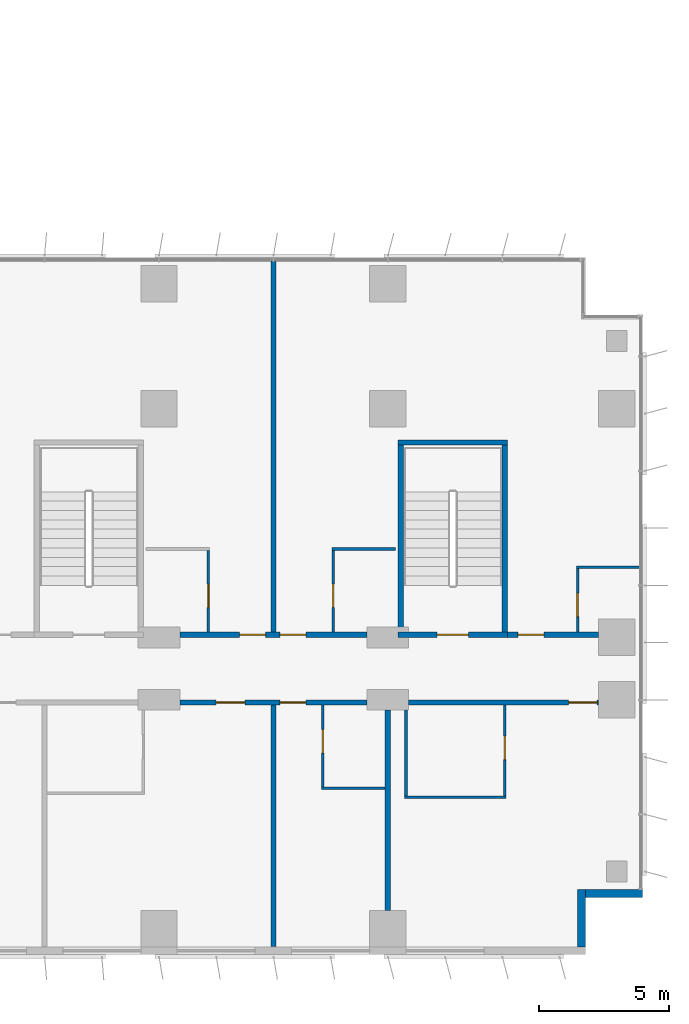
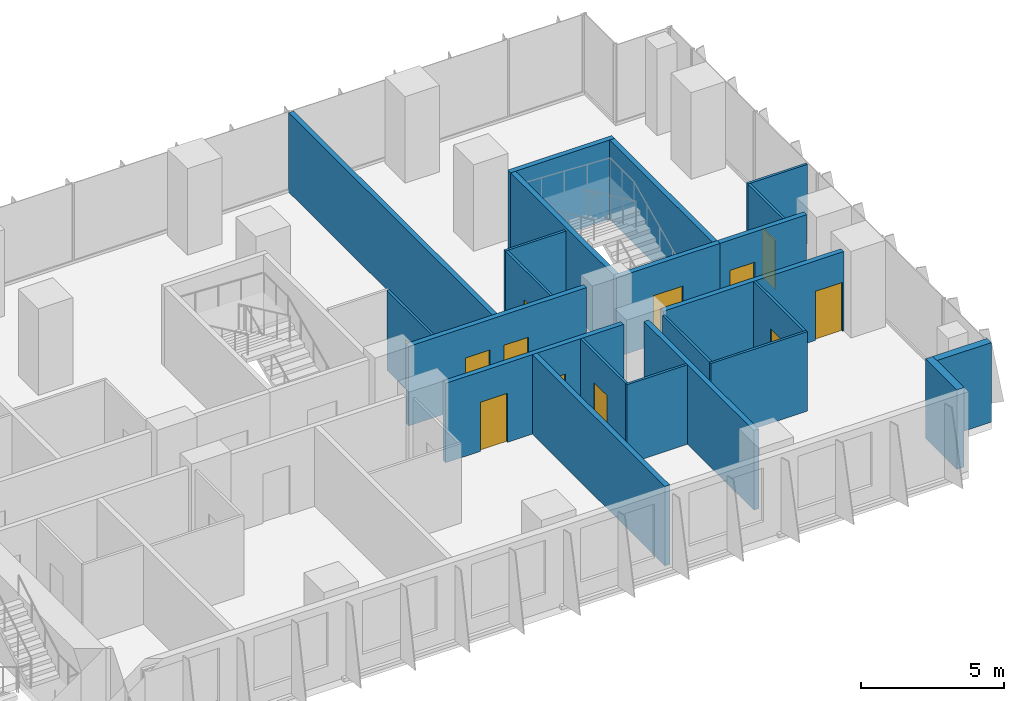
# One storey, part 18 of 24: 23 walls, 12 doors, 12 openings.
"""IFC4 building model written with IfcOpenShell, lengths in metres."""

from ifc_helpers import new_model, si_unit, direction, frame, frame_2d, origin, place, context, subcontext, project, spatial, rectangle, extrude, material, layer, layer_set, type_object, element, fill, save


model = new_model("IFC4")

# Units and contexts
model_context = context("Model", 3, precision=1e-05, world=origin(), true_north=direction((0.0, 1.0)))
body_context = subcontext(model_context, "Body", "Model", "MODEL_VIEW")
ifc_project = project(units=[si_unit("LENGTHUNIT", "METRE"), si_unit("AREAUNIT", "SQUARE_METRE"), si_unit("VOLUMEUNIT", "CUBIC_METRE"), si_unit("PLANEANGLEUNIT", "RADIAN"), si_unit("MASSUNIT", "GRAM", prefix="KILO")], contexts=[model_context])

# Site, building, storey
site_placement = place(None, origin())
site = spatial("IfcSite", under=ifc_project, at=site_placement, CompositionType="ELEMENT")
building_placement = place(site_placement, origin())
building = spatial("IfcBuilding", under=site, at=building_placement, Name="Kemantara Hotel Tower", CompositionType="ELEMENT")
storey_placement = place(building_placement, frame((0.0, 0.0, 56.199951171875)))
storey = spatial("IfcBuildingStorey", under=building, at=storey_placement, Name="L12", CompositionType="ELEMENT", Elevation=56.199951171875)

# Walls
ifc_material_1 = material(Name="Bronze anodised aluminium cladding on insulated steel stud wall", Category="steel")
ifc_layer_1 = layer(ifc_material_1, 0.300048828125)
ifc_layer_set_1 = layer_set([ifc_layer_1], Name="Bronze anodised aluminium cladding on insulated steel stud wall")
wall_type_1 = type_object("IfcWallType", Name="BRONZE METAL-CLAD EXTERNAL WALL 300", PredefinedType="STANDARD", material=ifc_layer_set_1)
for number, where, z_axis, x_axis, name in (
    (1, (78.85009765625, 0.300048828125, 0.0), (0.0, 0.0, 1.0), (0.0, 1.0, 0.0), "EXTERNAL WALL L12 T1-R02"),
    (2, (79.0, 2.35009765625, 0.0), (0.0, 0.0, 1.0), (1.0, 0.0, 0.0), "EXTERNAL WALL L12 T1-R03"),
):
    element("IfcWall", number, at=place(storey_placement, frame(where, z_axis=z_axis, x_axis=x_axis)), inside=storey, type_object=wall_type_1, Name=name, PredefinedType="STANDARD", context=body_context, shape_type="SweptSolid", body=[
        extrude(rectangle(XDim=2.199951171875, YDim=0.300048828125, at=frame_2d((1.10009765625, 0.0))), origin(), (0.0, 0.0, 1.0), 3.400146484375),
    ])

# Wall, openings, doors
ifc_material_2 = material(Name="Gypsum board partition, steel studs and mineral wool, 200 mm", Category="steel")
ifc_layer_2 = layer(ifc_material_2, 0.199951171875)
ifc_layer_set_2 = layer_set([ifc_layer_2], Name="Gypsum board partition, steel studs and mineral wool, 200 mm")
wall_type_2 = type_object("IfcWallType", Name="CORRIDOR WALL 200", PredefinedType="PARTITIONING", material=ifc_layer_set_2)
wall_1_placement = place(storey_placement, frame((70.599853515625, 9.699951171875, 0.0), z_axis=(0.0, 0.0, 1.0), x_axis=(-1.0, 0.0, 0.0)))
wall_1 = element("IfcWall", 3, at=wall_1_placement, inside=storey, type_object=wall_type_2, Name="CORRIDOR WALL 200 003", PredefinedType="PARTITIONING", context=body_context, shape_type="SweptSolid", body=[
    extrude(rectangle(XDim=7.19970703125, YDim=0.199951171875, at=frame_2d((3.599853515625, 0.0))), origin(), (0.0, 0.0, 1.0), 3.400146484375),
])
opening_1_placement = place(wall_1_placement, frame((4.699951171875, 0.0, 0.0)))
opening_1 = element("IfcOpeningElement", 4, at=opening_1_placement, cuts=wall_1, Name="Opening F04-005", PredefinedType="OPENING", context=body_context, shape_type="SweptSolid", body=[
    extrude(rectangle(XDim=1.10009765625, YDim=2.10009765625, at=frame_2d((0.550048828125, 1.050048828125))), frame((0.0, 0.10986328125, 0.0), z_axis=(0.0, -1.0, 0.0), x_axis=(1.0, 0.0, 0.0)), (0.0, 0.0, 1.0), 0.219970703125),
])
opening_2_placement = place(wall_1_placement, frame((2.349853515625, 0.0, 0.0)))
opening_2 = element("IfcOpeningElement", 5, at=opening_2_placement, cuts=wall_1, Name="Opening F04-007", PredefinedType="OPENING", context=body_context, shape_type="SweptSolid", body=[
    extrude(rectangle(XDim=1.0, YDim=2.10009765625, at=frame_2d((0.5, 1.050048828125))), frame((0.0, 0.10986328125, 0.0), z_axis=(0.0, -1.0, 0.0), x_axis=(1.0, 0.0, 0.0)), (0.0, 0.0, 1.0), 0.219970703125),
])
ifc_material_3 = material(Name="Hardwood veneer door leaf with steel frame", Category="steel")
door_type_1 = type_object("IfcDoorType", Name="GUEST ROOM DOOR 1000 X 2100 FD30S", OperationType="NOTDEFINED", PredefinedType="DOOR", material=ifc_material_3)
door_1_placement = place(opening_2_placement, origin())
door_1 = element("IfcDoor", 6, at=door_1_placement, inside=storey, type_object=door_type_1, Name="GUEST ROOM DOOR F04-007", OperationType="SINGLE_SWING_RIGHT", OverallHeight=2.10009765625, OverallWidth=1.0, PredefinedType="DOOR", context=body_context, shape_type="SweptSolid", body=[
    extrude(rectangle(XDim=1.0, YDim=2.10009765625, at=frame_2d((0.5, 1.050048828125))), frame((0.0, 0.02490234375, 0.0), z_axis=(0.0, -1.0, 0.0), x_axis=(1.0, 0.0, 0.0)), (0.0, 0.0, 1.0), 0.050048828125),
])
fill(opening_2, door_1)
door_type_2 = type_object("IfcDoorType", Name="SUITE ENTRANCE DOOR 1100 X 2100 FD30S", OperationType="NOTDEFINED", PredefinedType="DOOR", material=ifc_material_3)
door_2_placement = place(opening_1_placement, origin())
door_2 = element("IfcDoor", 7, at=door_2_placement, inside=storey, type_object=door_type_2, Name="SUITE ENTRANCE DOOR F04-005", OperationType="SINGLE_SWING_LEFT", OverallHeight=2.10009765625, OverallWidth=1.10009765625, PredefinedType="DOOR", context=body_context, shape_type="SweptSolid", body=[
    extrude(rectangle(XDim=1.10009765625, YDim=2.10009765625, at=frame_2d((0.550048828125, 1.050048828125))), frame((0.0, 0.02490234375, 0.0), z_axis=(0.0, -1.0, 0.0), x_axis=(1.0, 0.0, 0.0)), (0.0, 0.0, 1.0), 0.050048828125),
])
fill(opening_1, door_2)

# Wall, opening, door
wall_2_placement = place(storey_placement, frame((79.5, 9.699951171875, 0.0), z_axis=(0.0, 0.0, 1.0), x_axis=(-1.0, 0.0, 0.0)))
wall_2 = element("IfcWall", 8, at=wall_2_placement, inside=storey, type_object=wall_type_2, Name="CORRIDOR WALL 200 004", PredefinedType="PARTITIONING", context=body_context, shape_type="SweptSolid", body=[
    extrude(rectangle(XDim=7.2998046875, YDim=0.199951171875, at=frame_2d((3.64990234375, 0.0))), origin(), (0.0, 0.0, 1.0), 3.400146484375),
])
opening_3_placement = place(wall_2_placement, frame((0.0498046875, 0.0, 0.0)))
opening_3 = element("IfcOpeningElement", 9, at=opening_3_placement, cuts=wall_2, Name="Opening F04-009", PredefinedType="OPENING", context=body_context, shape_type="SweptSolid", body=[
    extrude(rectangle(XDim=1.10009765625, YDim=2.10009765625, at=frame_2d((0.550048828125, 1.050048828125))), frame((0.0, 0.10986328125, 0.0), z_axis=(0.0, -1.0, 0.0), x_axis=(1.0, 0.0, 0.0)), (0.0, 0.0, 1.0), 0.219970703125),
])
door_3_placement = place(opening_3_placement, origin())
door_3 = element("IfcDoor", 10, at=door_3_placement, inside=storey, type_object=door_type_2, Name="SUITE ENTRANCE DOOR F04-009", OperationType="SINGLE_SWING_LEFT", OverallHeight=2.10009765625, OverallWidth=1.10009765625, PredefinedType="DOOR", context=body_context, shape_type="SweptSolid", body=[
    extrude(rectangle(XDim=1.10009765625, YDim=2.10009765625, at=frame_2d((0.550048828125, 1.050048828125))), frame((0.0, 0.02490234375, 0.0), z_axis=(0.0, -1.0, 0.0), x_axis=(1.0, 0.0, 0.0)), (0.0, 0.0, 1.0), 0.050048828125),
])
fill(opening_3, door_3)

# Wall, openings, doors
wall_3_placement = place(storey_placement, frame((63.400146484375, 12.300048828125, 0.0), z_axis=(0.0, 0.0, 1.0), x_axis=(1.0, 0.0, 0.0)))
wall_3 = element("IfcWall", 11, at=wall_3_placement, inside=storey, type_object=wall_type_2, Name="CORRIDOR WALL 200 016", PredefinedType="PARTITIONING", context=body_context, shape_type="SweptSolid", body=[
    extrude(rectangle(XDim=7.19970703125, YDim=0.199951171875, at=frame_2d((3.599853515625, 0.0))), origin(), (0.0, 0.0, 1.0), 3.400146484375),
])
opening_4_placement = place(wall_3_placement, frame((2.2998046875, 0.0, 0.0)))
opening_4 = element("IfcOpeningElement", 12, at=opening_4_placement, cuts=wall_3, Name="Opening F04-023", PredefinedType="OPENING", context=body_context, shape_type="SweptSolid", body=[
    extrude(rectangle(XDim=1.0, YDim=2.10009765625, at=frame_2d((0.5, 1.050048828125))), frame((0.0, 0.10986328125, 0.0), z_axis=(0.0, -1.0, 0.0), x_axis=(1.0, 0.0, 0.0)), (0.0, 0.0, 1.0), 0.219970703125),
])
opening_5_placement = place(wall_3_placement, frame((3.849853515625, 0.0, 0.0)))
opening_5 = element("IfcOpeningElement", 13, at=opening_5_placement, cuts=wall_3, Name="Opening F04-025", PredefinedType="OPENING", context=body_context, shape_type="SweptSolid", body=[
    extrude(rectangle(XDim=1.0, YDim=2.10009765625, at=frame_2d((0.5, 1.050048828125))), frame((0.0, 0.10986328125, 0.0), z_axis=(0.0, -1.0, 0.0), x_axis=(1.0, 0.0, 0.0)), (0.0, 0.0, 1.0), 0.219970703125),
])
door_4_placement = place(opening_4_placement, origin())
door_4 = element("IfcDoor", 14, at=door_4_placement, inside=storey, type_object=door_type_1, Name="GUEST ROOM DOOR F04-023", OperationType="SINGLE_SWING_RIGHT", OverallHeight=2.10009765625, OverallWidth=1.0, PredefinedType="DOOR", context=body_context, shape_type="SweptSolid", body=[
    extrude(rectangle(XDim=1.0, YDim=2.10009765625, at=frame_2d((0.5, 1.050048828125))), frame((0.0, 0.02490234375, 0.0), z_axis=(0.0, -1.0, 0.0), x_axis=(1.0, 0.0, 0.0)), (0.0, 0.0, 1.0), 0.050048828125),
])
fill(opening_4, door_4)
door_5_placement = place(opening_5_placement, origin())
door_5 = element("IfcDoor", 15, at=door_5_placement, inside=storey, type_object=door_type_1, Name="GUEST ROOM DOOR F04-025", OperationType="SINGLE_SWING_LEFT", OverallHeight=2.10009765625, OverallWidth=1.0, PredefinedType="DOOR", context=body_context, shape_type="SweptSolid", body=[
    extrude(rectangle(XDim=1.0, YDim=2.10009765625, at=frame_2d((0.5, 1.050048828125))), frame((0.0, 0.02490234375, 0.0), z_axis=(0.0, -1.0, 0.0), x_axis=(1.0, 0.0, 0.0)), (0.0, 0.0, 1.0), 0.050048828125),
])
fill(opening_5, door_5)

# Wall, opening, door
wall_4_placement = place(storey_placement, frame((76.0, 12.300048828125, 0.0), z_axis=(0.0, 0.0, 1.0), x_axis=(1.0, 0.0, 0.0)))
wall_4 = element("IfcWall", 16, at=wall_4_placement, inside=storey, type_object=wall_type_2, Name="CORRIDOR WALL 200 017", PredefinedType="PARTITIONING", context=body_context, shape_type="SweptSolid", body=[
    extrude(rectangle(XDim=3.5, YDim=0.199951171875, at=frame_2d((1.75, 0.0))), origin(), (0.0, 0.0, 1.0), 3.400146484375),
])
opening_6_placement = place(wall_4_placement, frame((0.39990234375, 0.0, 0.0)))
opening_6 = element("IfcOpeningElement", 17, at=opening_6_placement, cuts=wall_4, Name="Opening F04-027", PredefinedType="OPENING", context=body_context, shape_type="SweptSolid", body=[
    extrude(rectangle(XDim=1.0, YDim=2.10009765625, at=frame_2d((0.5, 1.050048828125))), frame((0.0, 0.10986328125, 0.0), z_axis=(0.0, -1.0, 0.0), x_axis=(1.0, 0.0, 0.0)), (0.0, 0.0, 1.0), 0.219970703125),
])
door_6_placement = place(opening_6_placement, origin())
door_6 = element("IfcDoor", 18, at=door_6_placement, inside=storey, type_object=door_type_1, Name="GUEST ROOM DOOR F04-027", OperationType="SINGLE_SWING_LEFT", OverallHeight=2.10009765625, OverallWidth=1.0, PredefinedType="DOOR", context=body_context, shape_type="SweptSolid", body=[
    extrude(rectangle(XDim=1.0, YDim=2.10009765625, at=frame_2d((0.5, 1.050048828125))), frame((0.0, 0.02490234375, 0.0), z_axis=(0.0, -1.0, 0.0), x_axis=(1.0, 0.0, 0.0)), (0.0, 0.0, 1.0), 0.050048828125),
])
fill(opening_6, door_6)

ifc_material_4 = material(Name="Concrete fc 40 MPa", Category="concrete")
ifc_layer_3 = layer(ifc_material_4, 0.199951171875)
ifc_layer_set_3 = layer_set([ifc_layer_3], Name="Concrete fc 40 MPa")
wall_type_3 = type_object("IfcWallType", Name="Concrete stair wall 200 mm", PredefinedType="SHEAR", material=ifc_layer_set_3)
wall_5_placement = place(storey_placement, frame((71.800048828125, 12.300048828125, 0.0), z_axis=(0.0, 0.0, 1.0), x_axis=(1.0, 0.0, 0.0)))
wall_5 = element("IfcWall", 19, at=wall_5_placement, inside=storey, type_object=wall_type_3, Name="Stair ST5 enclosure wall with door", PredefinedType="SHEAR", context=body_context, shape_type="SweptSolid", body=[
    extrude(rectangle(XDim=4.199951171875, YDim=0.199951171875, at=frame_2d((2.10009765625, 0.0))), origin(), (0.0, 0.0, 1.0), 3.400146484375),
])
opening_7_placement = place(wall_5_placement, frame((1.5, 0.0, 0.0)))
opening_7 = element("IfcOpeningElement", 20, at=opening_7_placement, cuts=wall_5, Name="Opening ST5-C", PredefinedType="OPENING", context=body_context, shape_type="SweptSolid", body=[
    extrude(rectangle(XDim=1.199951171875, YDim=2.10009765625, at=frame_2d((0.60009765625, 1.050048828125))), frame((0.0, 0.10986328125, 0.0), z_axis=(0.0, -1.0, 0.0), x_axis=(1.0, 0.0, 0.0)), (0.0, 0.0, 1.0), 0.219970703125),
])
ifc_material_5 = material(Name="Steel fire door", Category="steel")
door_type_3 = type_object("IfcDoorType", Name="Fire door FD90 1200 x 2100", OperationType="NOTDEFINED", PredefinedType="DOOR", material=ifc_material_5)
door_7_placement = place(opening_7_placement, origin())
door_7 = element("IfcDoor", 21, at=door_7_placement, inside=storey, type_object=door_type_3, Name="Stair ST5 door", OperationType="SINGLE_SWING_RIGHT", OverallHeight=2.10009765625, OverallWidth=1.199951171875, PredefinedType="DOOR", context=body_context, shape_type="SweptSolid", body=[
    extrude(rectangle(XDim=1.199951171875, YDim=2.10009765625, at=frame_2d((0.60009765625, 1.050048828125))), frame((0.0, 0.02490234375, 0.0), z_axis=(0.0, -1.0, 0.0), x_axis=(1.0, 0.0, 0.0)), (0.0, 0.0, 1.0), 0.050048828125),
])
fill(opening_7, door_7)

# Walls
wall_6_placement = place(storey_placement, frame((71.800048828125, 19.699951171875, 0.0), z_axis=(0.0, 0.0, 1.0), x_axis=(1.0, 0.0, 0.0)))
element("IfcWall", 22, at=wall_6_placement, inside=storey, type_object=wall_type_3, Name="Stair ST5 enclosure wall N", PredefinedType="SHEAR", context=body_context, shape_type="SweptSolid", body=[
    extrude(rectangle(XDim=4.199951171875, YDim=0.199951171875, at=frame_2d((2.10009765625, 0.0))), origin(), (0.0, 0.0, 1.0), 3.400146484375),
])
for number, where, z_axis, x_axis, name in (
    (23, (71.89990234375, 12.39990234375, 0.0), (0.0, 0.0, 1.0), (0.0, 1.0, 0.0), "Stair ST5 enclosure wall W"),
    (24, (75.89990234375, 12.39990234375, 0.0), (0.0, 0.0, 1.0), (0.0, 1.0, 0.0), "Stair ST5 enclosure wall E"),
):
    element("IfcWall", number, at=place(storey_placement, frame(where, z_axis=z_axis, x_axis=x_axis)), inside=storey, type_object=wall_type_3, Name=name, PredefinedType="SHEAR", context=body_context, shape_type="SweptSolid", body=[
        extrude(rectangle(XDim=7.2001953125, YDim=0.199951171875, at=frame_2d((3.60009765625, 0.0))), origin(), (0.0, 0.0, 1.0), 3.400146484375),
    ])
ifc_layer_4 = layer(ifc_material_2, 0.199951171875)
ifc_layer_set_4 = layer_set([ifc_layer_4], Name="Gypsum board partition, steel studs and mineral wool, 200 mm")
wall_type_4 = type_object("IfcWallType", Name="GUEST ROOM PARTY WALL 200", PredefinedType="PARTITIONING", material=ifc_layer_set_4)
wall_7_placement = place(storey_placement, frame((67.0, 0.31005859375, 0.0), z_axis=(0.0, 0.0, 1.0), x_axis=(0.0, 1.0, 0.0)))
element("IfcWall", 25, at=wall_7_placement, inside=storey, type_object=wall_type_4, Name="GUEST ROOM PARTY WALL 200 008", PredefinedType="PARTITIONING", context=body_context, shape_type="SweptSolid", body=[
    extrude(rectangle(XDim=9.2900390625, YDim=0.199951171875, at=frame_2d((4.64501953125, 0.0))), origin(), (0.0, 0.0, 1.0), 3.400146484375),
])
wall_8_placement = place(storey_placement, frame((67.0, 12.39990234375, 0.0), z_axis=(0.0, 0.0, 1.0), x_axis=(0.0, 1.0, 0.0)))
element("IfcWall", 26, at=wall_8_placement, inside=storey, type_object=wall_type_4, Name="GUEST ROOM PARTY WALL 200 009", PredefinedType="PARTITIONING", context=body_context, shape_type="SweptSolid", body=[
    extrude(rectangle(XDim=14.27001953125, YDim=0.199951171875, at=frame_2d((7.135009765625, 0.0))), origin(), (0.0, 0.0, 1.0), 3.400146484375),
])
wall_9_placement = place(storey_placement, frame((71.39990234375, 1.7001953125, 0.0), z_axis=(0.0, 0.0, 1.0), x_axis=(0.0, 1.0, 0.0)))
element("IfcWall", 27, at=wall_9_placement, inside=storey, type_object=wall_type_4, Name="GUEST ROOM PARTY WALL 200 010", PredefinedType="PARTITIONING", context=body_context, shape_type="SweptSolid", body=[
    extrude(rectangle(XDim=7.69970703125, YDim=0.199951171875, at=frame_2d((3.849853515625, 0.0))), origin(), (0.0, 0.0, 1.0), 3.400146484375),
])
ifc_material_6 = material(Name="Gypsum board partition on steel studs, 100 mm", Category="steel")
ifc_layer_5 = layer(ifc_material_6, 0.10009765625)
ifc_layer_set_5 = layer_set([ifc_layer_5], Name="Gypsum board partition on steel studs, 100 mm")
wall_type_5 = type_object("IfcWallType", Name="ROOM PARTITION 100", PredefinedType="PARTITIONING", material=ifc_layer_set_5)
wall_10_placement = place(storey_placement, frame((68.85009765625, 6.39990234375, 0.0), z_axis=(0.0, 0.0, 1.0), x_axis=(1.0, 0.0, 0.0)))
element("IfcWall", 28, at=wall_10_placement, inside=storey, type_object=wall_type_5, Name="ROOM PARTITION 100 066", PredefinedType="PARTITIONING", context=body_context, shape_type="SweptSolid", body=[
    extrude(rectangle(XDim=2.449951171875, YDim=0.10009765625, at=frame_2d((1.22509765625, 0.0))), origin(), (0.0, 0.0, 1.0), 3.400146484375),
])

# Wall, opening, door
wall_11_placement = place(storey_placement, frame((68.89990234375, 9.60009765625, 0.0), z_axis=(0.0, 0.0, 1.0), x_axis=(0.0, -1.0, 0.0)))
wall_11 = element("IfcWall", 29, at=wall_11_placement, inside=storey, type_object=wall_type_5, Name="ROOM PARTITION 100 073", PredefinedType="PARTITIONING", context=body_context, shape_type="SweptSolid", body=[
    extrude(rectangle(XDim=3.150146484375, YDim=0.10009765625, at=frame_2d((1.5751953125, 0.0))), origin(), (0.0, 0.0, 1.0), 3.400146484375),
])
opening_8_placement = place(wall_11_placement, frame((0.949951171875, 0.0, 0.0)))
opening_8 = element("IfcOpeningElement", 30, at=opening_8_placement, cuts=wall_11, Name="Opening F04-008", PredefinedType="OPENING", context=body_context, shape_type="SweptSolid", body=[
    extrude(rectangle(XDim=0.89990234375, YDim=2.10009765625, at=frame_2d((0.449951171875, 1.050048828125))), frame((0.0, 0.06005859375, 0.0), z_axis=(0.0, -1.0, 0.0), x_axis=(1.0, 0.0, 0.0)), (0.0, 0.0, 1.0), 0.1201171875),
])
door_type_4 = type_object("IfcDoorType", Name="BATHROOM DOOR 900 X 2100", OperationType="NOTDEFINED", PredefinedType="DOOR", material=ifc_material_3)
door_8_placement = place(opening_8_placement, origin())
door_8 = element("IfcDoor", 31, at=door_8_placement, inside=storey, type_object=door_type_4, Name="BATHROOM DOOR F04-008", OperationType="SINGLE_SWING_LEFT", OverallHeight=2.10009765625, OverallWidth=0.89990234375, PredefinedType="DOOR", context=body_context, shape_type="SweptSolid", body=[
    extrude(rectangle(XDim=0.89990234375, YDim=2.10009765625, at=frame_2d((0.449951171875, 1.050048828125))), frame((0.0, 0.02490234375, 0.0), z_axis=(0.0, -1.0, 0.0), x_axis=(1.0, 0.0, 0.0)), (0.0, 0.0, 1.0), 0.050048828125),
])
fill(opening_8, door_8)

# Walls
wall_12_placement = place(storey_placement, frame((72.050048828125, 6.050048828125, 0.0), z_axis=(0.0, 0.0, 1.0), x_axis=(1.0, 0.0, 0.0)))
element("IfcWall", 32, at=wall_12_placement, inside=storey, type_object=wall_type_5, Name="ROOM PARTITION 100 074", PredefinedType="PARTITIONING", context=body_context, shape_type="SweptSolid", body=[
    extrude(rectangle(XDim=3.89990234375, YDim=0.10009765625, at=frame_2d((1.949951171875, 0.0))), origin(), (0.0, 0.0, 1.0), 3.400146484375),
])
wall_13_placement = place(storey_placement, frame((72.10009765625, 6.10009765625, 0.0), z_axis=(0.0, 0.0, 1.0), x_axis=(0.0, 1.0, 0.0)))
element("IfcWall", 33, at=wall_13_placement, inside=storey, type_object=wall_type_5, Name="ROOM PARTITION 100 075", PredefinedType="PARTITIONING", context=body_context, shape_type="SweptSolid", body=[
    extrude(rectangle(XDim=3.2998046875, YDim=0.10009765625, at=frame_2d((1.64990234375, 0.0))), origin(), (0.0, 0.0, 1.0), 3.400146484375),
])

# Wall, opening, door
wall_14_placement = place(storey_placement, frame((75.89990234375, 6.10009765625, 0.0), z_axis=(0.0, 0.0, 1.0), x_axis=(0.0, 1.0, 0.0)))
wall_14 = element("IfcWall", 34, at=wall_14_placement, inside=storey, type_object=wall_type_5, Name="ROOM PARTITION 100 076", PredefinedType="PARTITIONING", context=body_context, shape_type="SweptSolid", body=[
    extrude(rectangle(XDim=3.5, YDim=0.10009765625, at=frame_2d((1.75, 0.0))), origin(), (0.0, 0.0, 1.0), 3.400146484375),
])
opening_9_placement = place(wall_14_placement, frame((1.39990234375, 0.0, 0.0)))
opening_9 = element("IfcOpeningElement", 35, at=opening_9_placement, cuts=wall_14, Name="Opening F04-010", PredefinedType="OPENING", context=body_context, shape_type="SweptSolid", body=[
    extrude(rectangle(XDim=0.89990234375, YDim=2.10009765625, at=frame_2d((0.449951171875, 1.050048828125))), frame((0.0, 0.06005859375, 0.0), z_axis=(0.0, -1.0, 0.0), x_axis=(1.0, 0.0, 0.0)), (0.0, 0.0, 1.0), 0.1201171875),
])
door_9_placement = place(opening_9_placement, origin())
door_9 = element("IfcDoor", 36, at=door_9_placement, inside=storey, type_object=door_type_4, Name="BATHROOM DOOR F04-010", OperationType="SINGLE_SWING_RIGHT", OverallHeight=2.10009765625, OverallWidth=0.89990234375, PredefinedType="DOOR", context=body_context, shape_type="SweptSolid", body=[
    extrude(rectangle(XDim=0.89990234375, YDim=2.10009765625, at=frame_2d((0.449951171875, 1.050048828125))), frame((0.0, 0.02490234375, 0.0), z_axis=(0.0, -1.0, 0.0), x_axis=(1.0, 0.0, 0.0)), (0.0, 0.0, 1.0), 0.050048828125),
])
fill(opening_9, door_9)

# Wall
wall_15_placement = place(storey_placement, frame((69.25, 15.60009765625, 0.0), z_axis=(0.0, 0.0, 1.0), x_axis=(1.0, 0.0, 0.0)))
element("IfcWall", 37, at=wall_15_placement, inside=storey, type_object=wall_type_5, Name="ROOM PARTITION 100 084", PredefinedType="PARTITIONING", context=body_context, shape_type="SweptSolid", body=[
    extrude(rectangle(XDim=2.449951171875, YDim=0.10009765625, at=frame_2d((1.22509765625, 0.0))), origin(), (0.0, 0.0, 1.0), 3.400146484375),
])

# Wall, opening, door
wall_16_placement = place(storey_placement, frame((64.5, 12.39990234375, 0.0), z_axis=(0.0, 0.0, 1.0), x_axis=(0.0, 1.0, 0.0)))
wall_16 = element("IfcWall", 38, at=wall_16_placement, inside=storey, type_object=wall_type_5, Name="ROOM PARTITION 100 090", PredefinedType="PARTITIONING", context=body_context, shape_type="SweptSolid", body=[
    extrude(rectangle(XDim=3.150146484375, YDim=0.10009765625, at=frame_2d((1.5751953125, 0.0))), origin(), (0.0, 0.0, 1.0), 3.400146484375),
])
opening_10_placement = place(wall_16_placement, frame((0.949951171875, 0.0, 0.0)))
opening_10 = element("IfcOpeningElement", 39, at=opening_10_placement, cuts=wall_16, Name="Opening F04-024", PredefinedType="OPENING", context=body_context, shape_type="SweptSolid", body=[
    extrude(rectangle(XDim=0.89990234375, YDim=2.10009765625, at=frame_2d((0.449951171875, 1.050048828125))), frame((0.0, 0.06005859375, 0.0), z_axis=(0.0, -1.0, 0.0), x_axis=(1.0, 0.0, 0.0)), (0.0, 0.0, 1.0), 0.1201171875),
])
door_10_placement = place(opening_10_placement, origin())
door_10 = element("IfcDoor", 40, at=door_10_placement, inside=storey, type_object=door_type_4, Name="BATHROOM DOOR F04-024", OperationType="SINGLE_SWING_LEFT", OverallHeight=2.10009765625, OverallWidth=0.89990234375, PredefinedType="DOOR", context=body_context, shape_type="SweptSolid", body=[
    extrude(rectangle(XDim=0.89990234375, YDim=2.10009765625, at=frame_2d((0.449951171875, 1.050048828125))), frame((0.0, 0.02490234375, 0.0), z_axis=(0.0, -1.0, 0.0), x_axis=(1.0, 0.0, 0.0)), (0.0, 0.0, 1.0), 0.050048828125),
])
fill(opening_10, door_10)

wall_17_placement = place(storey_placement, frame((69.300048828125, 15.550048828125, 0.0), z_axis=(0.0, 0.0, 1.0), x_axis=(0.0, -1.0, 0.0)))
wall_17 = element("IfcWall", 41, at=wall_17_placement, inside=storey, type_object=wall_type_5, Name="ROOM PARTITION 100 091", PredefinedType="PARTITIONING", context=body_context, shape_type="SweptSolid", body=[
    extrude(rectangle(XDim=3.150146484375, YDim=0.10009765625, at=frame_2d((1.5751953125, 0.0))), origin(), (0.0, 0.0, 1.0), 3.400146484375),
])
opening_11_placement = place(wall_17_placement, frame((1.300048828125, 0.0, 0.0)))
opening_11 = element("IfcOpeningElement", 42, at=opening_11_placement, cuts=wall_17, Name="Opening F04-026", PredefinedType="OPENING", context=body_context, shape_type="SweptSolid", body=[
    extrude(rectangle(XDim=0.89990234375, YDim=2.10009765625, at=frame_2d((0.449951171875, 1.050048828125))), frame((0.0, 0.06005859375, 0.0), z_axis=(0.0, -1.0, 0.0), x_axis=(1.0, 0.0, 0.0)), (0.0, 0.0, 1.0), 0.1201171875),
])
door_11_placement = place(opening_11_placement, origin())
door_11 = element("IfcDoor", 43, at=door_11_placement, inside=storey, type_object=door_type_4, Name="BATHROOM DOOR F04-026", OperationType="SINGLE_SWING_RIGHT", OverallHeight=2.10009765625, OverallWidth=0.89990234375, PredefinedType="DOOR", context=body_context, shape_type="SweptSolid", body=[
    extrude(rectangle(XDim=0.89990234375, YDim=2.10009765625, at=frame_2d((0.449951171875, 1.050048828125))), frame((0.0, 0.02490234375, 0.0), z_axis=(0.0, -1.0, 0.0), x_axis=(1.0, 0.0, 0.0)), (0.0, 0.0, 1.0), 0.050048828125),
])
fill(opening_11, door_11)

# Wall
wall_18_placement = place(storey_placement, frame((78.64990234375, 14.89990234375, 0.0), z_axis=(0.0, 0.0, 1.0), x_axis=(1.0, 0.0, 0.0)))
element("IfcWall", 44, at=wall_18_placement, inside=storey, type_object=wall_type_5, Name="ROOM PARTITION 100 092", PredefinedType="PARTITIONING", context=body_context, shape_type="SweptSolid", body=[
    extrude(rectangle(XDim=2.420166015625, YDim=0.10009765625, at=frame_2d((1.2099609375, 0.0))), origin(), (0.0, 0.0, 1.0), 3.400146484375),
])

# Wall, opening, door
wall_19_placement = place(storey_placement, frame((78.699951171875, 14.85009765625, 0.0), z_axis=(0.0, 0.0, 1.0), x_axis=(0.0, -1.0, 0.0)))
wall_19 = element("IfcWall", 45, at=wall_19_placement, inside=storey, type_object=wall_type_5, Name="ROOM PARTITION 100 093", PredefinedType="PARTITIONING", context=body_context, shape_type="SweptSolid", body=[
    extrude(rectangle(XDim=2.4501953125, YDim=0.10009765625, at=frame_2d((1.22509765625, 0.0))), origin(), (0.0, 0.0, 1.0), 3.400146484375),
])
opening_12_placement = place(wall_19_placement, frame((0.949951171875, 0.0, 0.0)))
opening_12 = element("IfcOpeningElement", 46, at=opening_12_placement, cuts=wall_19, Name="Opening F04-028", PredefinedType="OPENING", context=body_context, shape_type="SweptSolid", body=[
    extrude(rectangle(XDim=0.89990234375, YDim=2.10009765625, at=frame_2d((0.449951171875, 1.050048828125))), frame((0.0, 0.06005859375, 0.0), z_axis=(0.0, -1.0, 0.0), x_axis=(1.0, 0.0, 0.0)), (0.0, 0.0, 1.0), 0.1201171875),
])
door_12_placement = place(opening_12_placement, origin())
door_12 = element("IfcDoor", 47, at=door_12_placement, inside=storey, type_object=door_type_4, Name="BATHROOM DOOR F04-028", OperationType="SINGLE_SWING_RIGHT", OverallHeight=2.10009765625, OverallWidth=0.89990234375, PredefinedType="DOOR", context=body_context, shape_type="SweptSolid", body=[
    extrude(rectangle(XDim=0.89990234375, YDim=2.10009765625, at=frame_2d((0.449951171875, 1.050048828125))), frame((0.0, 0.02490234375, 0.0), z_axis=(0.0, -1.0, 0.0), x_axis=(1.0, 0.0, 0.0)), (0.0, 0.0, 1.0), 0.050048828125),
])
fill(opening_12, door_12)

save(model, "model.ifc")
